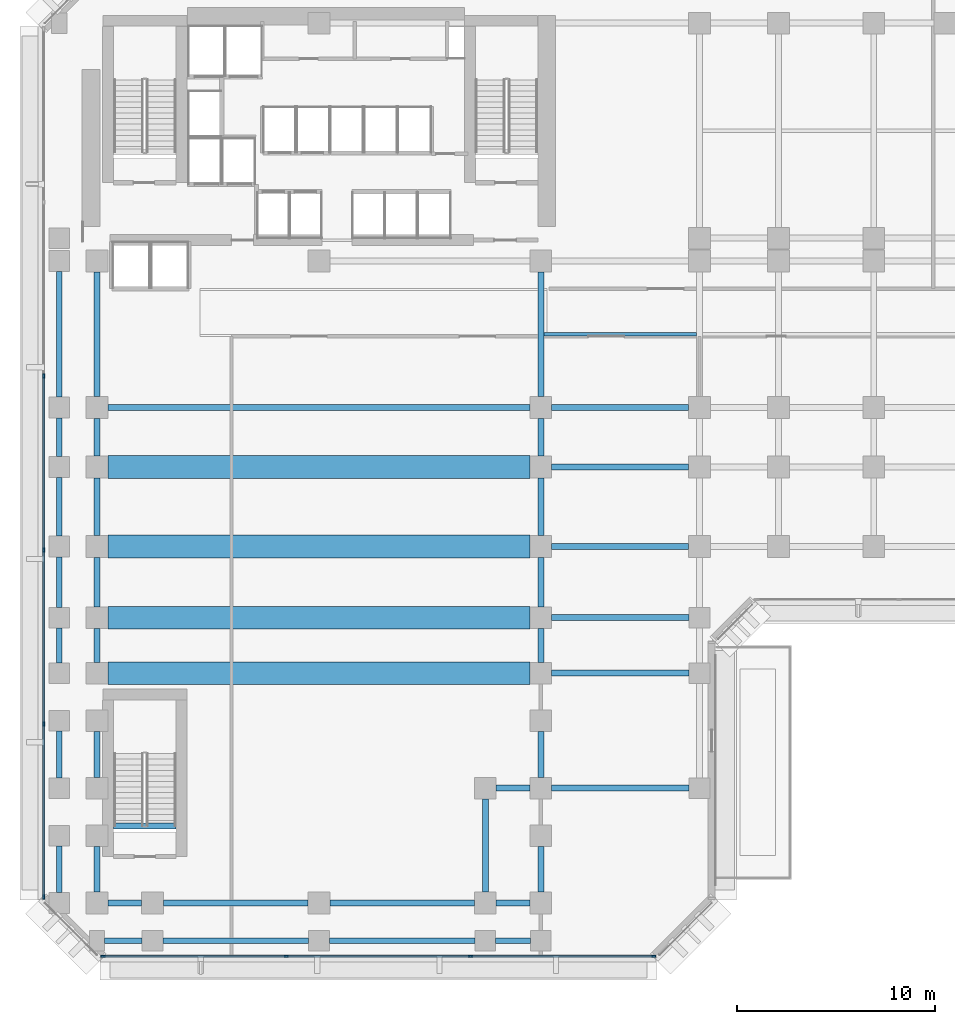
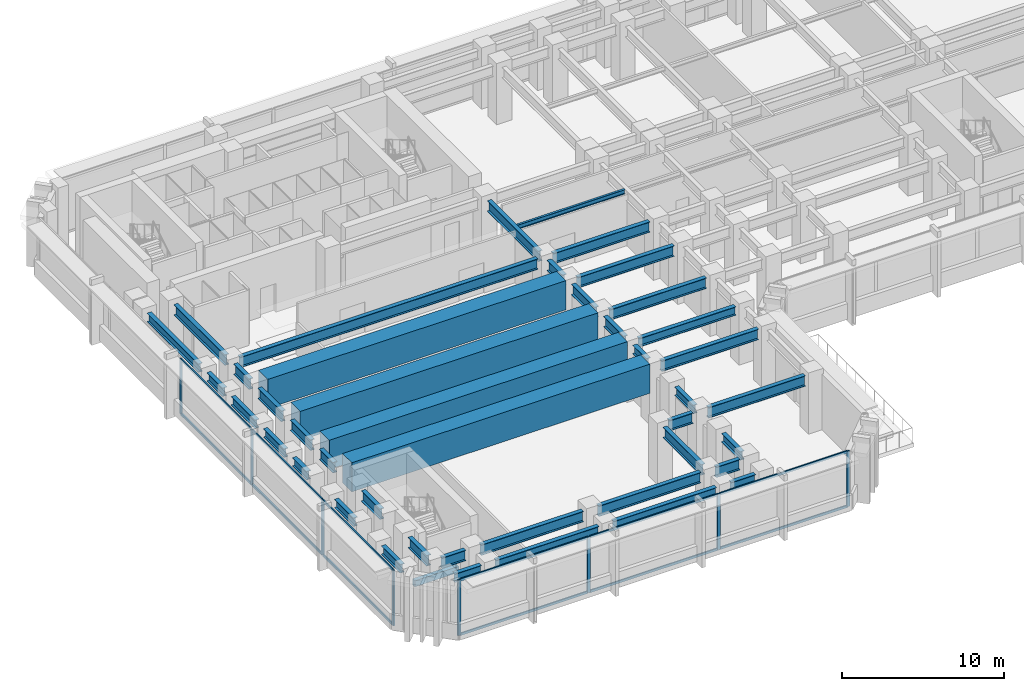
# One storey, part 2 of 16: 44 beams, 20 members, 2 elements without a shape of their own.
"""IFC4 building model written with IfcOpenShell, lengths in metres."""

from ifc_helpers import new_model, si_unit, direction, frame, origin, origin_2d, place, context, subcontext, project, spatial, rectangle, i_section, extrude, material, layer, layer_set, material_profile, profile_set, type_object, element, aggregate, save


model = new_model("IFC4")

# Units and contexts
model_context = context("Model", 3, precision=1e-05, world=origin(), true_north=direction((0.0, 1.0)))
body_context = subcontext(model_context, "Body", "Model", "MODEL_VIEW")
ifc_project = project(units=[si_unit("LENGTHUNIT", "METRE"), si_unit("AREAUNIT", "SQUARE_METRE"), si_unit("VOLUMEUNIT", "CUBIC_METRE"), si_unit("PLANEANGLEUNIT", "RADIAN"), si_unit("MASSUNIT", "GRAM", prefix="KILO")], contexts=[model_context])

# Site, building, storey
site_placement = place(None, origin())
site = spatial("IfcSite", under=ifc_project, at=site_placement, CompositionType="ELEMENT")
building_placement = place(site_placement, origin())
building = spatial("IfcBuilding", under=site, at=building_placement, Name="Kefirva Bronze Tower", CompositionType="ELEMENT")
storey_placement = place(building_placement, frame((0.0, 0.0, 21.1201171875)))
storey = spatial("IfcBuildingStorey", under=building, at=storey_placement, Name="L04", CompositionType="ELEMENT", Elevation=21.1201171875)

# Curtain wall, members
ifc_material_1 = material(Name="Bronze anodised aluminium", Category="aluminium")
ifc_layer = layer(ifc_material_1, 0.239990234375, Name="Bronze anodised aluminium")
ifc_layer_set = layer_set([ifc_layer], Name="Bronze anodised aluminium")
curtain_wall_type = type_object("IfcCurtainWallType", Name="Podium Double-Height Glazed Curtain Wall", PredefinedType="USERDEFINED", material=ifc_layer_set)
curtain_wall_1_placement = place(storey_placement, origin())
curtain_wall_1 = element("IfcCurtainWall", 1, at=curtain_wall_1_placement, inside=storey, type_object=curtain_wall_type, Name="L04 Curtain Wall 1", ObjectType="UNITISED CURTAIN WALL", PredefinedType="USERDEFINED")
ifc_material_profile_1 = material_profile(ifc_material_1, rectangle(XDim=0.090087890625, YDim=0.219970703125, at=origin_2d()), Name="ALU 90x220")
ifc_profile_set_1 = profile_set([ifc_material_profile_1], Name="Bronze anodised aluminium")
member_type_1 = type_object("IfcMemberType", Name="Bronze Mullion 90x220", PredefinedType="MULLION", material=ifc_profile_set_1)
member_1_placement = place(storey_placement, frame((1.10009765625, -1.8798828125, 0.0), z_axis=(0.0, 0.0, 1.0), x_axis=(0.0, 1.0, 0.0)))
member_1 = element("IfcMember", 2, at=member_1_placement, type_object=member_type_1, Name="CW-05 mullion 1", PredefinedType="MULLION", context=body_context, shape_type="SweptSolid", body=[
    extrude(rectangle(XDim=0.090087890625, YDim=0.219970703125, at=origin_2d()), origin(), (0.0, 0.0, 1.0), 4.199951171875),
])
member_2_placement = place(storey_placement, frame((10.3515625, -1.8798828125, 0.0), z_axis=(0.0, 0.0, 1.0), x_axis=(0.0, 1.0, 0.0)))
member_2 = element("IfcMember", 3, at=member_2_placement, type_object=member_type_1, Name="CW-05 mullion 2", PredefinedType="MULLION", context=body_context, shape_type="SweptSolid", body=[
    extrude(rectangle(XDim=0.090087890625, YDim=0.219970703125, at=origin_2d()), origin(), (0.0, 0.0, 1.0), 4.199951171875),
])
member_3_placement = place(storey_placement, frame((19.6484375, -1.8798828125, 0.0), z_axis=(0.0, 0.0, 1.0), x_axis=(0.0, 1.0, 0.0)))
member_3 = element("IfcMember", 4, at=member_3_placement, type_object=member_type_1, Name="CW-05 mullion 3", PredefinedType="MULLION", context=body_context, shape_type="SweptSolid", body=[
    extrude(rectangle(XDim=0.090087890625, YDim=0.219970703125, at=origin_2d()), origin(), (0.0, 0.0, 1.0), 4.199951171875),
])
member_4_placement = place(storey_placement, frame((28.89990234375, -1.8798828125, 0.0), z_axis=(0.0, 0.0, 1.0), x_axis=(0.0, 1.0, 0.0)))
member_4 = element("IfcMember", 5, at=member_4_placement, type_object=member_type_1, Name="CW-05 mullion 4", PredefinedType="MULLION", context=body_context, shape_type="SweptSolid", body=[
    extrude(rectangle(XDim=0.090087890625, YDim=0.219970703125, at=origin_2d()), origin(), (0.0, 0.0, 1.0), 4.199951171875),
])

curtain_wall_2_placement = place(storey_placement, origin())
curtain_wall_2 = element("IfcCurtainWall", 6, at=curtain_wall_2_placement, inside=storey, type_object=curtain_wall_type, Name="L04 Curtain Wall 5", ObjectType="UNITISED CURTAIN WALL", PredefinedType="USERDEFINED")
member_5_placement = place(storey_placement, frame((-1.8798828125, 27.388916015625, 0.0), z_axis=(0.0, 0.0, 1.0), x_axis=(1.0, 0.0, 0.0)))
member_5 = element("IfcMember", 7, at=member_5_placement, type_object=member_type_1, Name="CW-05 mullion 3", PredefinedType="MULLION", context=body_context, shape_type="SweptSolid", body=[
    extrude(rectangle(XDim=0.090087890625, YDim=0.219970703125, at=origin_2d()), origin(), (0.0, 0.0, 1.0), 4.199951171875),
])
member_6_placement = place(storey_placement, frame((-1.8798828125, 18.611083984375, 0.0), z_axis=(0.0, 0.0, 1.0), x_axis=(1.0, 0.0, 0.0)))
member_6 = element("IfcMember", 8, at=member_6_placement, type_object=member_type_1, Name="CW-05 mullion 4", PredefinedType="MULLION", context=body_context, shape_type="SweptSolid", body=[
    extrude(rectangle(XDim=0.090087890625, YDim=0.219970703125, at=origin_2d()), origin(), (0.0, 0.0, 1.0), 4.199951171875),
])
member_7_placement = place(storey_placement, frame((-1.8798828125, 9.8330078125, 0.0), z_axis=(0.0, 0.0, 1.0), x_axis=(1.0, 0.0, 0.0)))
member_7 = element("IfcMember", 9, at=member_7_placement, type_object=member_type_1, Name="CW-05 mullion 5", PredefinedType="MULLION", context=body_context, shape_type="SweptSolid", body=[
    extrude(rectangle(XDim=0.090087890625, YDim=0.219970703125, at=origin_2d()), origin(), (0.0, 0.0, 1.0), 4.199951171875),
])
member_8_placement = place(storey_placement, frame((-1.8798828125, 1.10009765625, 0.0), z_axis=(0.0, 0.0, 1.0), x_axis=(1.0, 0.0, 0.0)))
member_8 = element("IfcMember", 10, at=member_8_placement, type_object=member_type_1, Name="CW-05 mullion 6", PredefinedType="MULLION", context=body_context, shape_type="SweptSolid", body=[
    extrude(rectangle(XDim=0.090087890625, YDim=0.219970703125, at=origin_2d()), origin(), (0.0, 0.0, 1.0), 4.199951171875),
])

# Member
ifc_material_profile_2 = material_profile(ifc_material_1, rectangle(XDim=0.090087890625, YDim=0.179931640625, at=origin_2d()), Name="ALU 90x180")
ifc_profile_set_2 = profile_set([ifc_material_profile_2], Name="Bronze anodised aluminium")
member_type_2 = type_object("IfcMemberType", Name="Bronze Transom 90x180", PredefinedType="USERDEFINED", material=ifc_profile_set_2)
member_9_placement = place(storey_placement, frame((1.14501953125, -1.8798828125, 0.044921875), z_axis=(1.0, 0.0, 0.0), x_axis=(0.0, 1.0, 0.0)))
member_9 = element("IfcMember", 11, at=member_9_placement, type_object=member_type_2, Name="CW-05 transom 1.1", ObjectType="TRANSOM", PredefinedType="USERDEFINED", context=body_context, shape_type="SweptSolid", body=[
    extrude(rectangle(XDim=0.090087890625, YDim=0.179931640625, at=origin_2d()), origin(), (0.0, 0.0, 1.0), 9.16162109375),
])

member_10_placement = place(storey_placement, frame((1.14501953125, -1.8798828125, 4.15478515625), z_axis=(1.0, 0.0, 0.0), x_axis=(0.0, 1.0, 0.0)))
member_10 = element("IfcMember", 12, at=member_10_placement, type_object=member_type_2, Name="CW-05 transom 1.2", ObjectType="TRANSOM", PredefinedType="USERDEFINED", context=body_context, shape_type="SweptSolid", body=[
    extrude(rectangle(XDim=0.090087890625, YDim=0.179931640625, at=origin_2d()), origin(), (0.0, 0.0, 1.0), 9.16162109375),
])

member_11_placement = place(storey_placement, frame((10.396728515625, -1.8798828125, 0.044921875), z_axis=(1.0, 0.0, 0.0), x_axis=(0.0, 1.0, 0.0)))
member_11 = element("IfcMember", 13, at=member_11_placement, type_object=member_type_2, Name="CW-05 transom 2.1", ObjectType="TRANSOM", PredefinedType="USERDEFINED", context=body_context, shape_type="SweptSolid", body=[
    extrude(rectangle(XDim=0.090087890625, YDim=0.179931640625, at=origin_2d()), origin(), (0.0, 0.0, 1.0), 9.20654296875),
])

member_12_placement = place(storey_placement, frame((10.396728515625, -1.8798828125, 4.15478515625), z_axis=(1.0, 0.0, 0.0), x_axis=(0.0, 1.0, 0.0)))
member_12 = element("IfcMember", 14, at=member_12_placement, type_object=member_type_2, Name="CW-05 transom 2.2", ObjectType="TRANSOM", PredefinedType="USERDEFINED", context=body_context, shape_type="SweptSolid", body=[
    extrude(rectangle(XDim=0.090087890625, YDim=0.179931640625, at=origin_2d()), origin(), (0.0, 0.0, 1.0), 9.20654296875),
])

member_13_placement = place(storey_placement, frame((19.693359375, -1.8798828125, 0.044921875), z_axis=(1.0, 0.0, 0.0), x_axis=(0.0, 1.0, 0.0)))
member_13 = element("IfcMember", 15, at=member_13_placement, type_object=member_type_2, Name="CW-05 transom 3.1", ObjectType="TRANSOM", PredefinedType="USERDEFINED", context=body_context, shape_type="SweptSolid", body=[
    extrude(rectangle(XDim=0.090087890625, YDim=0.179931640625, at=origin_2d()), origin(), (0.0, 0.0, 1.0), 9.16162109375),
])

member_14_placement = place(storey_placement, frame((19.693359375, -1.8798828125, 4.15478515625), z_axis=(1.0, 0.0, 0.0), x_axis=(0.0, 1.0, 0.0)))
member_14 = element("IfcMember", 16, at=member_14_placement, type_object=member_type_2, Name="CW-05 transom 3.2", ObjectType="TRANSOM", PredefinedType="USERDEFINED", context=body_context, shape_type="SweptSolid", body=[
    extrude(rectangle(XDim=0.090087890625, YDim=0.179931640625, at=origin_2d()), origin(), (0.0, 0.0, 1.0), 9.16162109375),
])

aggregate(curtain_wall_1, [member_1, member_2, member_3, member_4, member_9, member_10, member_11, member_12, member_13, member_14])

member_15_placement = place(storey_placement, frame((-1.8798828125, 27.343994140625, 0.044921875), z_axis=(0.0, -1.0, 0.0), x_axis=(1.0, 0.0, 0.0)))
member_15 = element("IfcMember", 17, at=member_15_placement, type_object=member_type_2, Name="CW-05 transom 3.1", ObjectType="TRANSOM", PredefinedType="USERDEFINED", context=body_context, shape_type="SweptSolid", body=[
    extrude(rectangle(XDim=0.090087890625, YDim=0.179931640625, at=origin_2d()), origin(), (0.0, 0.0, 1.0), 8.68798828125),
])

member_16_placement = place(storey_placement, frame((-1.8798828125, 27.343994140625, 4.15478515625), z_axis=(0.0, -1.0, 0.0), x_axis=(1.0, 0.0, 0.0)))
member_16 = element("IfcMember", 18, at=member_16_placement, type_object=member_type_2, Name="CW-05 transom 3.2", ObjectType="TRANSOM", PredefinedType="USERDEFINED", context=body_context, shape_type="SweptSolid", body=[
    extrude(rectangle(XDim=0.090087890625, YDim=0.179931640625, at=origin_2d()), origin(), (0.0, 0.0, 1.0), 8.68798828125),
])

member_17_placement = place(storey_placement, frame((-1.8798828125, 18.56591796875, 0.044921875), z_axis=(0.0, -1.0, 0.0), x_axis=(1.0, 0.0, 0.0)))
member_17 = element("IfcMember", 19, at=member_17_placement, type_object=member_type_2, Name="CW-05 transom 4.1", ObjectType="TRANSOM", PredefinedType="USERDEFINED", context=body_context, shape_type="SweptSolid", body=[
    extrude(rectangle(XDim=0.090087890625, YDim=0.179931640625, at=origin_2d()), origin(), (0.0, 0.0, 1.0), 8.68798828125),
])

member_18_placement = place(storey_placement, frame((-1.8798828125, 18.56591796875, 4.15478515625), z_axis=(0.0, -1.0, 0.0), x_axis=(1.0, 0.0, 0.0)))
member_18 = element("IfcMember", 20, at=member_18_placement, type_object=member_type_2, Name="CW-05 transom 4.2", ObjectType="TRANSOM", PredefinedType="USERDEFINED", context=body_context, shape_type="SweptSolid", body=[
    extrude(rectangle(XDim=0.090087890625, YDim=0.179931640625, at=origin_2d()), origin(), (0.0, 0.0, 1.0), 8.68798828125),
])

member_19_placement = place(storey_placement, frame((-1.8798828125, 9.7880859375, 0.044921875), z_axis=(0.0, -1.0, 0.0), x_axis=(1.0, 0.0, 0.0)))
member_19 = element("IfcMember", 21, at=member_19_placement, type_object=member_type_2, Name="CW-05 transom 5.1", ObjectType="TRANSOM", PredefinedType="USERDEFINED", context=body_context, shape_type="SweptSolid", body=[
    extrude(rectangle(XDim=0.090087890625, YDim=0.179931640625, at=origin_2d()), origin(), (0.0, 0.0, 1.0), 8.64306640625),
])

member_20_placement = place(storey_placement, frame((-1.8798828125, 9.7880859375, 4.15478515625), z_axis=(0.0, -1.0, 0.0), x_axis=(1.0, 0.0, 0.0)))
member_20 = element("IfcMember", 22, at=member_20_placement, type_object=member_type_2, Name="CW-05 transom 5.2", ObjectType="TRANSOM", PredefinedType="USERDEFINED", context=body_context, shape_type="SweptSolid", body=[
    extrude(rectangle(XDim=0.090087890625, YDim=0.179931640625, at=origin_2d()), origin(), (0.0, 0.0, 1.0), 8.64306640625),
])

aggregate(curtain_wall_2, [member_5, member_6, member_7, member_8, member_15, member_16, member_17, member_18, member_19, member_20])

# Beams
ifc_material_2 = material(Name="Concrete C60/75", Category="concrete")
ifc_material_profile_3 = material_profile(ifc_material_2, rectangle(XDim=1.14990234375, YDim=2.199951171875, at=origin_2d()), Name="RC 1150x2200")
ifc_profile_set_3 = profile_set([ifc_material_profile_3], Name="Concrete C60/75")
beam_type_1 = type_object("IfcBeamType", Name="RC Podium Transfer Girder 1150x2200", PredefinedType="USERDEFINED", material=ifc_profile_set_3)
for number, where, z_axis, x_axis, name in (
    (23, (1.35009765625, 12.39990234375, 3.519775390625), (1.0, 0.0, 0.0), (0.0, 1.0, 0.0), "L04 TG-L04-AUD-124"),
    (24, (1.35009765625, 15.199951171875, 3.519775390625), (1.0, 0.0, 0.0), (0.0, 1.0, 0.0), "L04 TG-L04-AUD-152"),
    (25, (1.35009765625, 18.800048828125, 3.519775390625), (1.0, 0.0, 0.0), (0.0, 1.0, 0.0), "L04 TG-L04-AUD-188"),
    (26, (1.35009765625, 22.800048828125, 3.519775390625), (1.0, 0.0, 0.0), (0.0, 1.0, 0.0), "L04 TG-L04-AUD-228"),
):
    element("IfcBeam", number, at=place(storey_placement, frame(where, z_axis=z_axis, x_axis=x_axis)), inside=storey, type_object=beam_type_1, Name=name, ObjectType="GIRDER", PredefinedType="USERDEFINED", context=body_context, shape_type="SweptSolid", body=[
        extrude(rectangle(XDim=1.14990234375, YDim=2.199951171875, at=origin_2d()), origin(), (0.0, 0.0, 1.0), 21.2998046875),
    ])
ifc_material_3 = material(Name="Concrete C50/60", Category="concrete")
ifc_material_profile_4 = material_profile(ifc_material_3, rectangle(XDim=0.300048828125, YDim=0.449951171875, at=origin_2d()), Name="RC 300x450")
ifc_profile_set_4 = profile_set([ifc_material_profile_4], Name="Concrete C50/60")
beam_type_2 = type_object("IfcBeamType", Name="RC Stair Trimmer Beam 300x450", PredefinedType="BEAM", material=ifc_profile_set_4)
beam_1_placement = place(storey_placement, frame((1.64501953125, 4.699951171875, -0.22509765625), z_axis=(1.0, 0.0, 0.0), x_axis=(0.0, 1.0, 0.0)))
element("IfcBeam", 27, at=beam_1_placement, inside=storey, type_object=beam_type_2, Name="L04 Stair 3 Landing Trimmer Beam", PredefinedType="BEAM", context=body_context, shape_type="SweptSolid", body=[
    extrude(rectangle(XDim=0.300048828125, YDim=0.449951171875, at=origin_2d()), origin(), (0.0, 0.0, 1.0), 3.14990234375),
])
ifc_material_4 = material(Name="Steel S355", Category="steel")
ifc_material_profile_5 = material_profile(ifc_material_4, i_section(OverallWidth=0.159912109375, OverallDepth=0.330078125, WebThickness=0.007568359375, FlangeThickness=0.011474609375, at=origin_2d()), Name="IPE 330")
ifc_profile_set_5 = profile_set([ifc_material_profile_5], Name="Steel S355")
beam_type_3 = type_object("IfcBeamType", Name="Steel Floor Joist IPE 330", PredefinedType="JOIST", material=ifc_profile_set_5)
beam_2_placement = place(storey_placement, frame((23.35009765625, 29.5, 4.034912109375), z_axis=(1.0, 0.0, 0.0), x_axis=(0.0, 1.0, 0.0)))
element("IfcBeam", 28, at=beam_2_placement, inside=storey, type_object=beam_type_3, Name="L04 JST-L04-23-295", PredefinedType="JOIST", context=body_context, shape_type="SweptSolid", body=[
    extrude(i_section(OverallWidth=0.159912109375, OverallDepth=0.330078125, WebThickness=0.007568359375, FlangeThickness=0.011474609375, at=origin_2d()), origin(), (0.0, 0.0, 1.0), 7.699951171875),
])
ifc_material_profile_6 = material_profile(ifc_material_4, i_section(OverallWidth=0.300048828125, OverallDepth=0.800048828125, WebThickness=0.017578125, FlangeThickness=0.032958984375, at=origin_2d()), Name="HEB 800")
ifc_profile_set_6 = profile_set([ifc_material_profile_6], Name="Steel S355")
beam_type_4 = type_object("IfcBeamType", Name="Steel Girder HEB 800", PredefinedType="USERDEFINED", material=ifc_profile_set_6)
beam_3_placement = place(storey_placement, frame((1.35009765625, 0.800048828125, 3.7998046875), z_axis=(1.0, 0.0, 0.0), x_axis=(0.0, 1.0, 0.0)))
element("IfcBeam", 29, at=beam_3_placement, inside=storey, type_object=beam_type_4, Name="L04 BM-L04-EW-0-8", ObjectType="GIRDER", PredefinedType="USERDEFINED", context=body_context, shape_type="SweptSolid", body=[
    extrude(i_section(OverallWidth=0.300048828125, OverallDepth=0.800048828125, WebThickness=0.017578125, FlangeThickness=0.032958984375, at=origin_2d()), origin(), (0.0, 0.0, 1.0), 1.699951171875),
])
for number, where, z_axis, x_axis, name in (
    (30, (4.14990234375, 0.800048828125, 3.7998046875), (1.0, 0.0, 0.0), (0.0, 1.0, 0.0), "L04 BM-L04-EW-3-8"),
    (31, (12.550048828125, 0.800048828125, 3.7998046875), (1.0, 0.0, 0.0), (0.0, 1.0, 0.0), "L04 BM-L04-EW-12-8"),
):
    element("IfcBeam", number, at=place(storey_placement, frame(where, z_axis=z_axis, x_axis=x_axis)), inside=storey, type_object=beam_type_4, Name=name, ObjectType="GIRDER", PredefinedType="USERDEFINED", context=body_context, shape_type="SweptSolid", body=[
        extrude(i_section(OverallWidth=0.300048828125, OverallDepth=0.800048828125, WebThickness=0.017578125, FlangeThickness=0.032958984375, at=origin_2d()), origin(), (0.0, 0.0, 1.0), 7.300048828125),
    ])
for number, where, z_axis, x_axis, name in (
    (32, (20.949951171875, 0.800048828125, 3.7998046875), (1.0, 0.0, 0.0), (0.0, 1.0, 0.0), "L04 BM-L04-EW-20-8"),
    (33, (20.949951171875, 6.60009765625, 3.7998046875), (1.0, 0.0, 0.0), (0.0, 1.0, 0.0), "L04 BM-L04-EW-20-66"),
):
    element("IfcBeam", number, at=place(storey_placement, frame(where, z_axis=z_axis, x_axis=x_axis)), inside=storey, type_object=beam_type_4, Name=name, ObjectType="GIRDER", PredefinedType="USERDEFINED", context=body_context, shape_type="SweptSolid", body=[
        extrude(i_section(OverallWidth=0.300048828125, OverallDepth=0.800048828125, WebThickness=0.017578125, FlangeThickness=0.032958984375, at=origin_2d()), origin(), (0.0, 0.0, 1.0), 1.699951171875),
    ])
for number, where, z_axis, x_axis, name in (
    (34, (23.75, 6.60009765625, 3.7998046875), (1.0, 0.0, 0.0), (0.0, 1.0, 0.0), "L04 BM-L04-EW-23-66"),
    (35, (23.75, 12.39990234375, 3.7998046875), (1.0, 0.0, 0.0), (0.0, 1.0, 0.0), "L04 BM-L04-EW-23-124"),
):
    element("IfcBeam", number, at=place(storey_placement, frame(where, z_axis=z_axis, x_axis=x_axis)), inside=storey, type_object=beam_type_4, Name=name, ObjectType="GIRDER", PredefinedType="USERDEFINED", context=body_context, shape_type="SweptSolid", body=[
        extrude(i_section(OverallWidth=0.300048828125, OverallDepth=0.800048828125, WebThickness=0.017578125, FlangeThickness=0.032958984375, at=origin_2d()), origin(), (0.0, 0.0, 1.0), 6.925048828125),
    ])
for number, where, z_axis, x_axis, name in (
    (36, (23.75, 18.800048828125, 3.7998046875), (1.0, 0.0, 0.0), (0.0, 1.0, 0.0), "L04 BM-L04-EW-23-188"),
    (37, (23.75, 22.800048828125, 3.7998046875), (1.0, 0.0, 0.0), (0.0, 1.0, 0.0), "L04 BM-L04-EW-23-228"),
):
    element("IfcBeam", number, at=place(storey_placement, frame(where, z_axis=z_axis, x_axis=x_axis)), inside=storey, type_object=beam_type_4, Name=name, ObjectType="GIRDER", PredefinedType="USERDEFINED", context=body_context, shape_type="SweptSolid", body=[
        extrude(i_section(OverallWidth=0.300048828125, OverallDepth=0.800048828125, WebThickness=0.017578125, FlangeThickness=0.032958984375, at=origin_2d()), origin(), (0.0, 0.0, 1.0), 6.89990234375),
    ])
beam_4_placement = place(storey_placement, frame((1.35009765625, 25.800048828125, 3.7998046875), z_axis=(1.0, 0.0, 0.0), x_axis=(0.0, 1.0, 0.0)))
element("IfcBeam", 38, at=beam_4_placement, inside=storey, type_object=beam_type_4, Name="L04 BM-L04-EW-0-258", ObjectType="GIRDER", PredefinedType="USERDEFINED", context=body_context, shape_type="SweptSolid", body=[
    extrude(i_section(OverallWidth=0.300048828125, OverallDepth=0.800048828125, WebThickness=0.017578125, FlangeThickness=0.032958984375, at=origin_2d()), origin(), (0.0, 0.0, 1.0), 21.2998046875),
])
beam_5_placement = place(storey_placement, frame((23.75, 25.800048828125, 3.7998046875), z_axis=(1.0, 0.0, 0.0), x_axis=(0.0, 1.0, 0.0)))
element("IfcBeam", 39, at=beam_5_placement, inside=storey, type_object=beam_type_4, Name="L04 BM-L04-EW-23-258", ObjectType="GIRDER", PredefinedType="USERDEFINED", context=body_context, shape_type="SweptSolid", body=[
    extrude(i_section(OverallWidth=0.300048828125, OverallDepth=0.800048828125, WebThickness=0.017578125, FlangeThickness=0.032958984375, at=origin_2d()), origin(), (0.0, 0.0, 1.0), 6.89990234375),
])
beam_6_placement = place(storey_placement, frame((0.800048828125, 1.35009765625, 3.7998046875), z_axis=(0.0, 1.0, 0.0), x_axis=(-1.0, 0.0, 0.0)))
element("IfcBeam", 40, at=beam_6_placement, inside=storey, type_object=beam_type_4, Name="L04 BM-L04-NS-8-0", ObjectType="GIRDER", PredefinedType="USERDEFINED", context=body_context, shape_type="SweptSolid", body=[
    extrude(i_section(OverallWidth=0.300048828125, OverallDepth=0.800048828125, WebThickness=0.017578125, FlangeThickness=0.032958984375, at=origin_2d()), origin(), (0.0, 0.0, 1.0), 2.2998046875),
])
beam_7_placement = place(storey_placement, frame((0.800048828125, 7.14990234375, 3.7998046875), z_axis=(0.0, 1.0, 0.0), x_axis=(-1.0, 0.0, 0.0)))
element("IfcBeam", 41, at=beam_7_placement, inside=storey, type_object=beam_type_4, Name="L04 BM-L04-NS-8-6", ObjectType="GIRDER", PredefinedType="USERDEFINED", context=body_context, shape_type="SweptSolid", body=[
    extrude(i_section(OverallWidth=0.300048828125, OverallDepth=0.800048828125, WebThickness=0.017578125, FlangeThickness=0.032958984375, at=origin_2d()), origin(), (0.0, 0.0, 1.0), 2.300048828125),
])
beam_8_placement = place(storey_placement, frame((0.800048828125, 12.949951171875, 3.7998046875), z_axis=(0.0, 1.0, 0.0), x_axis=(-1.0, 0.0, 0.0)))
element("IfcBeam", 42, at=beam_8_placement, inside=storey, type_object=beam_type_4, Name="L04 BM-L04-NS-8-12", ObjectType="GIRDER", PredefinedType="USERDEFINED", context=body_context, shape_type="SweptSolid", body=[
    extrude(i_section(OverallWidth=0.300048828125, OverallDepth=0.800048828125, WebThickness=0.017578125, FlangeThickness=0.032958984375, at=origin_2d()), origin(), (0.0, 0.0, 1.0), 1.699951171875),
])
beam_9_placement = place(storey_placement, frame((0.800048828125, 15.75, 3.7998046875), z_axis=(0.0, 1.0, 0.0), x_axis=(-1.0, 0.0, 0.0)))
element("IfcBeam", 43, at=beam_9_placement, inside=storey, type_object=beam_type_4, Name="L04 BM-L04-NS-8-15", ObjectType="GIRDER", PredefinedType="USERDEFINED", context=body_context, shape_type="SweptSolid", body=[
    extrude(i_section(OverallWidth=0.300048828125, OverallDepth=0.800048828125, WebThickness=0.017578125, FlangeThickness=0.032958984375, at=origin_2d()), origin(), (0.0, 0.0, 1.0), 2.5),
])
beam_10_placement = place(storey_placement, frame((0.800048828125, 19.35009765625, 3.7998046875), z_axis=(0.0, 1.0, 0.0), x_axis=(-1.0, 0.0, 0.0)))
element("IfcBeam", 44, at=beam_10_placement, inside=storey, type_object=beam_type_4, Name="L04 BM-L04-NS-8-18", ObjectType="GIRDER", PredefinedType="USERDEFINED", context=body_context, shape_type="SweptSolid", body=[
    extrude(i_section(OverallWidth=0.300048828125, OverallDepth=0.800048828125, WebThickness=0.017578125, FlangeThickness=0.032958984375, at=origin_2d()), origin(), (0.0, 0.0, 1.0), 2.89990234375),
])
beam_11_placement = place(storey_placement, frame((0.800048828125, 23.35009765625, 3.7998046875), z_axis=(0.0, 1.0, 0.0), x_axis=(-1.0, 0.0, 0.0)))
element("IfcBeam", 45, at=beam_11_placement, inside=storey, type_object=beam_type_4, Name="L04 BM-L04-NS-8-22", ObjectType="GIRDER", PredefinedType="USERDEFINED", context=body_context, shape_type="SweptSolid", body=[
    extrude(i_section(OverallWidth=0.300048828125, OverallDepth=0.800048828125, WebThickness=0.017578125, FlangeThickness=0.032958984375, at=origin_2d()), origin(), (0.0, 0.0, 1.0), 1.89990234375),
])
beam_12_placement = place(storey_placement, frame((0.800048828125, 26.35009765625, 3.7998046875), z_axis=(0.0, 1.0, 0.0), x_axis=(-1.0, 0.0, 0.0)))
element("IfcBeam", 46, at=beam_12_placement, inside=storey, type_object=beam_type_4, Name="L04 BM-L04-NS-8-25", ObjectType="GIRDER", PredefinedType="USERDEFINED", context=body_context, shape_type="SweptSolid", body=[
    extrude(i_section(OverallWidth=0.300048828125, OverallDepth=0.800048828125, WebThickness=0.017578125, FlangeThickness=0.032958984375, at=origin_2d()), origin(), (0.0, 0.0, 1.0), 6.2998046875),
])
beam_13_placement = place(storey_placement, frame((20.39990234375, 1.35009765625, 3.7998046875), z_axis=(0.0, 1.0, 0.0), x_axis=(-1.0, 0.0, 0.0)))
element("IfcBeam", 47, at=beam_13_placement, inside=storey, type_object=beam_type_4, Name="L04 BM-L04-NS-204-0", ObjectType="GIRDER", PredefinedType="USERDEFINED", context=body_context, shape_type="SweptSolid", body=[
    extrude(i_section(OverallWidth=0.300048828125, OverallDepth=0.800048828125, WebThickness=0.017578125, FlangeThickness=0.032958984375, at=origin_2d()), origin(), (0.0, 0.0, 1.0), 4.699951171875),
])
beam_14_placement = place(storey_placement, frame((23.199951171875, 15.75, 3.7998046875), z_axis=(0.0, 1.0, 0.0), x_axis=(-1.0, 0.0, 0.0)))
element("IfcBeam", 48, at=beam_14_placement, inside=storey, type_object=beam_type_4, Name="L04 BM-L04-NS-232-15", ObjectType="GIRDER", PredefinedType="USERDEFINED", context=body_context, shape_type="SweptSolid", body=[
    extrude(i_section(OverallWidth=0.300048828125, OverallDepth=0.800048828125, WebThickness=0.017578125, FlangeThickness=0.032958984375, at=origin_2d()), origin(), (0.0, 0.0, 1.0), 2.5),
])
beam_15_placement = place(storey_placement, frame((23.199951171875, 19.35009765625, 3.7998046875), z_axis=(0.0, 1.0, 0.0), x_axis=(-1.0, 0.0, 0.0)))
element("IfcBeam", 49, at=beam_15_placement, inside=storey, type_object=beam_type_4, Name="L04 BM-L04-NS-232-18", ObjectType="GIRDER", PredefinedType="USERDEFINED", context=body_context, shape_type="SweptSolid", body=[
    extrude(i_section(OverallWidth=0.300048828125, OverallDepth=0.800048828125, WebThickness=0.017578125, FlangeThickness=0.032958984375, at=origin_2d()), origin(), (0.0, 0.0, 1.0), 2.89990234375),
])
beam_16_placement = place(storey_placement, frame((23.199951171875, 23.35009765625, 3.7998046875), z_axis=(0.0, 1.0, 0.0), x_axis=(-1.0, 0.0, 0.0)))
element("IfcBeam", 50, at=beam_16_placement, inside=storey, type_object=beam_type_4, Name="L04 BM-L04-NS-232-22", ObjectType="GIRDER", PredefinedType="USERDEFINED", context=body_context, shape_type="SweptSolid", body=[
    extrude(i_section(OverallWidth=0.300048828125, OverallDepth=0.800048828125, WebThickness=0.017578125, FlangeThickness=0.032958984375, at=origin_2d()), origin(), (0.0, 0.0, 1.0), 1.89990234375),
])
beam_17_placement = place(storey_placement, frame((23.199951171875, 26.35009765625, 3.7998046875), z_axis=(0.0, 1.0, 0.0), x_axis=(-1.0, 0.0, 0.0)))
element("IfcBeam", 51, at=beam_17_placement, inside=storey, type_object=beam_type_4, Name="L04 BM-L04-NS-232-25", ObjectType="GIRDER", PredefinedType="USERDEFINED", context=body_context, shape_type="SweptSolid", body=[
    extrude(i_section(OverallWidth=0.300048828125, OverallDepth=0.800048828125, WebThickness=0.017578125, FlangeThickness=0.032958984375, at=origin_2d()), origin(), (0.0, 0.0, 1.0), 6.2998046875),
])
ifc_material_profile_7 = material_profile(ifc_material_4, i_section(OverallWidth=0.300048828125, OverallDepth=0.64990234375, WebThickness=0.01611328125, FlangeThickness=0.031005859375, at=origin_2d()), Name="HEB 650")
ifc_profile_set_7 = profile_set([ifc_material_profile_7], Name="Steel S355")
beam_type_5 = type_object("IfcBeamType", Name="Steel Spandrel HEB 650 Ext", PredefinedType="SPANDREL", material=ifc_profile_set_7)
beam_18_placement = place(storey_placement, frame((1.179931640625, -1.10009765625, 3.875), z_axis=(1.0, 0.0, 0.0), x_axis=(0.0, 1.0, 0.0)))
element("IfcBeam", 52, at=beam_18_placement, inside=storey, type_object=beam_type_5, Name="L04 BM-L04-EW-0--11", PredefinedType="SPANDREL", context=body_context, shape_type="SweptSolid", body=[
    extrude(i_section(OverallWidth=0.300048828125, OverallDepth=0.64990234375, WebThickness=0.01611328125, FlangeThickness=0.031005859375, at=origin_2d()), origin(), (0.0, 0.0, 1.0), 1.89501953125),
])
for number, where, z_axis, x_axis, name in (
    (53, (4.125, -1.10009765625, 3.875), (1.0, 0.0, 0.0), (0.0, 1.0, 0.0), "L04 BM-L04-EW-3--11"),
    (54, (12.52490234375, -1.10009765625, 3.875), (1.0, 0.0, 0.0), (0.0, 1.0, 0.0), "L04 BM-L04-EW-12--11"),
):
    element("IfcBeam", number, at=place(storey_placement, frame(where, z_axis=z_axis, x_axis=x_axis)), inside=storey, type_object=beam_type_5, Name=name, PredefinedType="SPANDREL", context=body_context, shape_type="SweptSolid", body=[
        extrude(i_section(OverallWidth=0.300048828125, OverallDepth=0.64990234375, WebThickness=0.01611328125, FlangeThickness=0.031005859375, at=origin_2d()), origin(), (0.0, 0.0, 1.0), 7.35009765625),
    ])
beam_19_placement = place(storey_placement, frame((20.925048828125, -1.10009765625, 3.875), z_axis=(1.0, 0.0, 0.0), x_axis=(0.0, 1.0, 0.0)))
element("IfcBeam", 55, at=beam_19_placement, inside=storey, type_object=beam_type_5, Name="L04 BM-L04-EW-20--11", PredefinedType="SPANDREL", context=body_context, shape_type="SweptSolid", body=[
    extrude(i_section(OverallWidth=0.300048828125, OverallDepth=0.64990234375, WebThickness=0.01611328125, FlangeThickness=0.031005859375, at=origin_2d()), origin(), (0.0, 0.0, 1.0), 1.75),
])
beam_20_placement = place(storey_placement, frame((23.75, 15.199951171875, 3.875), z_axis=(1.0, 0.0, 0.0), x_axis=(0.0, 1.0, 0.0)))
element("IfcBeam", 56, at=beam_20_placement, inside=storey, type_object=beam_type_5, Name="L04 BM-L04-EW-23-152", PredefinedType="SPANDREL", context=body_context, shape_type="SweptSolid", body=[
    extrude(i_section(OverallWidth=0.300048828125, OverallDepth=0.64990234375, WebThickness=0.01611328125, FlangeThickness=0.031005859375, at=origin_2d()), origin(), (0.0, 0.0, 1.0), 6.925048828125),
])
for number, where, z_axis, x_axis, name in (
    (57, (-1.10009765625, 1.324951171875, 3.875), (0.0, 1.0, 0.0), (-1.0, 0.0, 0.0), "L04 BM-L04-NS--11-0"),
    (58, (-1.10009765625, 7.125, 3.875), (0.0, 1.0, 0.0), (-1.0, 0.0, 0.0), "L04 BM-L04-NS--11-6"),
):
    element("IfcBeam", number, at=place(storey_placement, frame(where, z_axis=z_axis, x_axis=x_axis)), inside=storey, type_object=beam_type_5, Name=name, PredefinedType="SPANDREL", context=body_context, shape_type="SweptSolid", body=[
        extrude(i_section(OverallWidth=0.300048828125, OverallDepth=0.64990234375, WebThickness=0.01611328125, FlangeThickness=0.031005859375, at=origin_2d()), origin(), (0.0, 0.0, 1.0), 2.35009765625),
    ])
beam_21_placement = place(storey_placement, frame((-1.10009765625, 12.925048828125, 3.875), z_axis=(0.0, 1.0, 0.0), x_axis=(-1.0, 0.0, 0.0)))
element("IfcBeam", 59, at=beam_21_placement, inside=storey, type_object=beam_type_5, Name="L04 BM-L04-NS--11-12", PredefinedType="SPANDREL", context=body_context, shape_type="SweptSolid", body=[
    extrude(i_section(OverallWidth=0.300048828125, OverallDepth=0.64990234375, WebThickness=0.01611328125, FlangeThickness=0.031005859375, at=origin_2d()), origin(), (0.0, 0.0, 1.0), 1.75),
])
beam_22_placement = place(storey_placement, frame((-1.10009765625, 15.72509765625, 3.875), z_axis=(0.0, 1.0, 0.0), x_axis=(-1.0, 0.0, 0.0)))
element("IfcBeam", 60, at=beam_22_placement, inside=storey, type_object=beam_type_5, Name="L04 BM-L04-NS--11-15", PredefinedType="SPANDREL", context=body_context, shape_type="SweptSolid", body=[
    extrude(i_section(OverallWidth=0.300048828125, OverallDepth=0.64990234375, WebThickness=0.01611328125, FlangeThickness=0.031005859375, at=origin_2d()), origin(), (0.0, 0.0, 1.0), 2.5498046875),
])
beam_23_placement = place(storey_placement, frame((-1.10009765625, 19.324951171875, 3.875), z_axis=(0.0, 1.0, 0.0), x_axis=(-1.0, 0.0, 0.0)))
element("IfcBeam", 61, at=beam_23_placement, inside=storey, type_object=beam_type_5, Name="L04 BM-L04-NS--11-18", PredefinedType="SPANDREL", context=body_context, shape_type="SweptSolid", body=[
    extrude(i_section(OverallWidth=0.300048828125, OverallDepth=0.64990234375, WebThickness=0.01611328125, FlangeThickness=0.031005859375, at=origin_2d()), origin(), (0.0, 0.0, 1.0), 2.949951171875),
])
beam_24_placement = place(storey_placement, frame((-1.10009765625, 23.324951171875, 3.875), z_axis=(0.0, 1.0, 0.0), x_axis=(-1.0, 0.0, 0.0)))
element("IfcBeam", 62, at=beam_24_placement, inside=storey, type_object=beam_type_5, Name="L04 BM-L04-NS--11-22", PredefinedType="SPANDREL", context=body_context, shape_type="SweptSolid", body=[
    extrude(i_section(OverallWidth=0.300048828125, OverallDepth=0.64990234375, WebThickness=0.01611328125, FlangeThickness=0.031005859375, at=origin_2d()), origin(), (0.0, 0.0, 1.0), 1.949951171875),
])
beam_25_placement = place(storey_placement, frame((-1.10009765625, 26.324951171875, 3.875), z_axis=(0.0, 1.0, 0.0), x_axis=(-1.0, 0.0, 0.0)))
element("IfcBeam", 63, at=beam_25_placement, inside=storey, type_object=beam_type_5, Name="L04 BM-L04-NS--11-25", PredefinedType="SPANDREL", context=body_context, shape_type="SweptSolid", body=[
    extrude(i_section(OverallWidth=0.300048828125, OverallDepth=0.64990234375, WebThickness=0.01611328125, FlangeThickness=0.031005859375, at=origin_2d()), origin(), (0.0, 0.0, 1.0), 6.35009765625),
])
beam_26_placement = place(storey_placement, frame((23.199951171875, 1.35009765625, 3.875), z_axis=(0.0, 1.0, 0.0), x_axis=(-1.0, 0.0, 0.0)))
element("IfcBeam", 64, at=beam_26_placement, inside=storey, type_object=beam_type_5, Name="L04 BM-L04-NS-232-0", PredefinedType="SPANDREL", context=body_context, shape_type="SweptSolid", body=[
    extrude(i_section(OverallWidth=0.300048828125, OverallDepth=0.64990234375, WebThickness=0.01611328125, FlangeThickness=0.031005859375, at=origin_2d()), origin(), (0.0, 0.0, 1.0), 2.2998046875),
])
beam_27_placement = place(storey_placement, frame((23.199951171875, 7.14990234375, 3.875), z_axis=(0.0, 1.0, 0.0), x_axis=(-1.0, 0.0, 0.0)))
element("IfcBeam", 65, at=beam_27_placement, inside=storey, type_object=beam_type_5, Name="L04 BM-L04-NS-232-6", PredefinedType="SPANDREL", context=body_context, shape_type="SweptSolid", body=[
    extrude(i_section(OverallWidth=0.300048828125, OverallDepth=0.64990234375, WebThickness=0.01611328125, FlangeThickness=0.031005859375, at=origin_2d()), origin(), (0.0, 0.0, 1.0), 2.300048828125),
])
beam_28_placement = place(storey_placement, frame((23.199951171875, 12.949951171875, 3.875), z_axis=(0.0, 1.0, 0.0), x_axis=(-1.0, 0.0, 0.0)))
element("IfcBeam", 66, at=beam_28_placement, inside=storey, type_object=beam_type_5, Name="L04 BM-L04-NS-232-12", PredefinedType="SPANDREL", context=body_context, shape_type="SweptSolid", body=[
    extrude(i_section(OverallWidth=0.300048828125, OverallDepth=0.64990234375, WebThickness=0.01611328125, FlangeThickness=0.031005859375, at=origin_2d()), origin(), (0.0, 0.0, 1.0), 1.699951171875),
])

save(model, "model.ifc")
